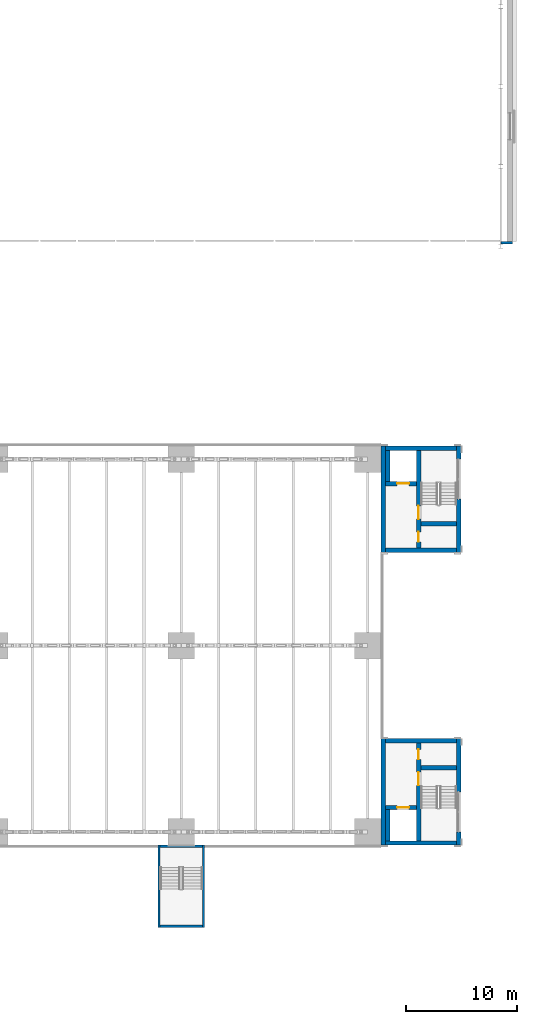
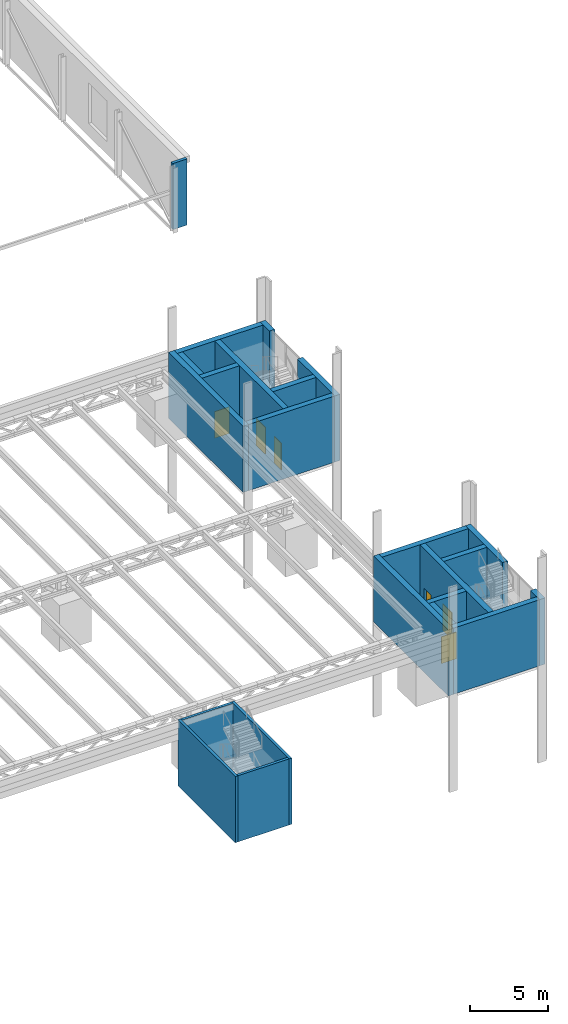
# One storey, part 58 of 93: 23 walls, 6 doors, 6 openings.
"""IFC4 building model written with IfcOpenShell, lengths in metres."""

from ifc_helpers import new_model, si_unit, direction, frame, frame_2d, origin, place, context, subcontext, project, spatial, rectangle, extrude, material, layer, layer_set, type_object, element, fill, save


model = new_model("IFC4")

# Units and contexts
model_context = context("Model", 3, precision=1e-05, world=origin(), true_north=direction((0.0, 1.0)))
body_context = subcontext(model_context, "Body", "Model", "MODEL_VIEW")
ifc_project = project(units=[si_unit("LENGTHUNIT", "METRE"), si_unit("AREAUNIT", "SQUARE_METRE"), si_unit("VOLUMEUNIT", "CUBIC_METRE"), si_unit("PLANEANGLEUNIT", "RADIAN"), si_unit("MASSUNIT", "GRAM", prefix="KILO")], contexts=[model_context])

# Site, building, storey
site_placement = place(None, origin())
site = spatial("IfcSite", under=ifc_project, at=site_placement, CompositionType="ELEMENT")
building_placement = place(site_placement, origin())
building = spatial("IfcBuilding", under=site, at=building_placement, Name="Verrick Yard Athletic Hall", CompositionType="ELEMENT")
storey_placement = place(building_placement, frame((0.0, 0.0, 8.800048828125)))
storey = spatial("IfcBuildingStorey", under=building, at=storey_placement, Name="L02", CompositionType="ELEMENT", Elevation=8.800048828125)

# Wall, openings, doors
ifc_material_1 = material(Name="Concrete 35 MPa", Category="concrete")
ifc_layer_1 = layer(ifc_material_1, 0.39990234375)
ifc_layer_set_1 = layer_set([ifc_layer_1], Name="Core wall CR400")
wall_type_1 = type_object("IfcWallType", Name="Core wall CR400", PredefinedType="SHEAR", material=ifc_layer_set_1)
wall_1_placement = place(storey_placement, frame((162.199951171875, 18.39990234375, 0.0), z_axis=(0.0, 0.0, 1.0), x_axis=(0.0, 1.0, 0.0)))
wall_1 = element("IfcWall", 1, at=wall_1_placement, inside=storey, type_object=wall_type_1, Name="CORE-CB3-WP-L02", PredefinedType="SHEAR", context=body_context, shape_type="SweptSolid", body=[
    extrude(rectangle(XDim=8.800048828125, YDim=0.39990234375, at=frame_2d((4.39990234375, 0.0))), origin(), (0.0, 0.0, 1.0), 5.199951171875),
])
opening_1_placement = place(wall_1_placement, frame((5.0, 0.0, 0.0)))
opening_1 = element("IfcOpeningElement", 2, at=opening_1_placement, cuts=wall_1, Name="Opening SD1", PredefinedType="OPENING", context=body_context, shape_type="SweptSolid", body=[
    extrude(rectangle(XDim=1.199951171875, YDim=2.10009765625, at=frame_2d((0.60009765625, 1.050048828125))), frame((0.0, 0.2099609375, 0.0), z_axis=(0.0, -1.0, 0.0), x_axis=(1.0, 0.0, 0.0)), (0.0, 0.0, 1.0), 0.419921875),
])
opening_2_placement = place(wall_1_placement, frame((7.35009765625, 0.0, 0.0)))
opening_2 = element("IfcOpeningElement", 3, at=opening_2_placement, cuts=wall_1, Name="Opening RD1", PredefinedType="OPENING", context=body_context, shape_type="SweptSolid", body=[
    extrude(rectangle(XDim=0.89990234375, YDim=2.10009765625, at=frame_2d((0.449951171875, 1.050048828125))), frame((0.0, 0.2099609375, 0.0), z_axis=(0.0, -1.0, 0.0), x_axis=(1.0, 0.0, 0.0)), (0.0, 0.0, 1.0), 0.419921875),
])
ifc_material_2 = material(Name="Hollow metal door leaf")
door_type_1 = type_object("IfcDoorType", Name="Core door RD1 900x2100", OperationType="NOTDEFINED", PredefinedType="DOOR", material=ifc_material_2)
door_1_placement = place(opening_2_placement, origin())
door_1 = element("IfcDoor", 4, at=door_1_placement, inside=storey, type_object=door_type_1, Name="CORE-CB3-WP-L02-DRD1-2620", OperationType="SINGLE_SWING_RIGHT", OverallHeight=2.10009765625, OverallWidth=0.89990234375, PredefinedType="DOOR", context=body_context, shape_type="SweptSolid", body=[
    extrude(rectangle(XDim=0.89990234375, YDim=2.10009765625, at=frame_2d((0.449951171875, 1.050048828125))), frame((0.0, 0.02490234375, 0.0), z_axis=(0.0, -1.0, 0.0), x_axis=(1.0, 0.0, 0.0)), (0.0, 0.0, 1.0), 0.050048828125),
])
fill(opening_2, door_1)
door_type_2 = type_object("IfcDoorType", Name="Core door SD1 1200x2100", OperationType="NOTDEFINED", PredefinedType="DOOR", material=ifc_material_2)
door_2_placement = place(opening_1_placement, origin())
door_2 = element("IfcDoor", 5, at=door_2_placement, inside=storey, type_object=door_type_2, Name="CORE-CB3-WP-L02-DSD1-2400", OperationType="SINGLE_SWING_RIGHT", OverallHeight=2.10009765625, OverallWidth=1.199951171875, PredefinedType="DOOR", context=body_context, shape_type="SweptSolid", body=[
    extrude(rectangle(XDim=1.199951171875, YDim=2.10009765625, at=frame_2d((0.60009765625, 1.050048828125))), frame((0.0, 0.02490234375, 0.0), z_axis=(0.0, -1.0, 0.0), x_axis=(1.0, 0.0, 0.0)), (0.0, 0.0, 1.0), 0.050048828125),
])
fill(opening_1, door_2)

# Wall
wall_2_placement = place(storey_placement, frame((162.39990234375, 25.0, 0.0), z_axis=(0.0, 0.0, 1.0), x_axis=(1.0, 0.0, 0.0)))
element("IfcWall", 6, at=wall_2_placement, inside=storey, type_object=wall_type_1, Name="CORE-CB3-WSN-L02", PredefinedType="SHEAR", context=body_context, shape_type="SweptSolid", body=[
    extrude(rectangle(XDim=3.2001953125, YDim=0.39990234375, at=frame_2d((1.60009765625, 0.0))), origin(), (0.0, 0.0, 1.0), 5.199951171875),
])

# Wall, opening, door
wall_3_placement = place(storey_placement, frame((159.199951171875, 21.39990234375, 0.0), z_axis=(0.0, 0.0, 1.0), x_axis=(1.0, 0.0, 0.0)))
wall_3 = element("IfcWall", 7, at=wall_3_placement, inside=storey, type_object=wall_type_1, Name="CORE-CB3-WLN-L02", PredefinedType="SHEAR", context=body_context, shape_type="SweptSolid", body=[
    extrude(rectangle(XDim=2.800048828125, YDim=0.39990234375, at=frame_2d((1.39990234375, 0.0))), origin(), (0.0, 0.0, 1.0), 5.199951171875),
])
opening_3_placement = place(wall_3_placement, frame((1.050048828125, 0.0, 0.0)))
opening_3 = element("IfcOpeningElement", 8, at=opening_3_placement, cuts=wall_3, Name="Opening LD", PredefinedType="OPENING", context=body_context, shape_type="SweptSolid", body=[
    extrude(rectangle(XDim=1.10009765625, YDim=2.10009765625, at=frame_2d((0.550048828125, 1.050048828125))), frame((0.0, 0.2099609375, 0.0), z_axis=(0.0, -1.0, 0.0), x_axis=(1.0, 0.0, 0.0)), (0.0, 0.0, 1.0), 0.419921875),
])
ifc_material_3 = material(Name="Stainless steel landing door", Category="steel")
door_type_3 = type_object("IfcDoorType", Name="Lift landing door LD 1100x2100", OperationType="NOTDEFINED", PredefinedType="DOOR", material=ifc_material_3)
door_3_placement = place(opening_3_placement, origin())
door_3 = element("IfcDoor", 9, at=door_3_placement, inside=storey, type_object=door_type_3, Name="Lift landing door", OperationType="SLIDING_TO_RIGHT", OverallHeight=2.10009765625, OverallWidth=1.10009765625, PredefinedType="DOOR", context=body_context, shape_type="SweptSolid", body=[
    extrude(rectangle(XDim=1.10009765625, YDim=2.10009765625, at=frame_2d((0.550048828125, 1.050048828125))), frame((0.0, 0.02490234375, 0.0), z_axis=(0.0, -1.0, 0.0), x_axis=(1.0, 0.0, 0.0)), (0.0, 0.0, 1.0), 0.050048828125),
])
fill(opening_3, door_3)

# Wall
wall_4_placement = place(storey_placement, frame((159.39990234375, 18.39990234375, 0.0), z_axis=(0.0, 0.0, 1.0), x_axis=(0.0, 1.0, 0.0)))
element("IfcWall", 10, at=wall_4_placement, inside=storey, type_object=wall_type_1, Name="CORE-CB3-WLE-L02", PredefinedType="SHEAR", context=body_context, shape_type="SweptSolid", body=[
    extrude(rectangle(XDim=2.800048828125, YDim=0.39990234375, at=frame_2d((1.39990234375, 0.0))), origin(), (0.0, 0.0, 1.0), 5.199951171875),
])

# Wall, openings, doors
wall_5_placement = place(storey_placement, frame((162.199951171875, 44.800048828125, 0.0), z_axis=(0.0, 0.0, 1.0), x_axis=(0.0, 1.0, 0.0)))
wall_5 = element("IfcWall", 11, at=wall_5_placement, inside=storey, type_object=wall_type_1, Name="CORE-CB4-WP-L02", PredefinedType="SHEAR", context=body_context, shape_type="SweptSolid", body=[
    extrude(rectangle(XDim=8.800048828125, YDim=0.39990234375, at=frame_2d((4.39990234375, 0.0))), origin(), (0.0, 0.0, 1.0), 5.199951171875),
])
opening_4_placement = place(wall_5_placement, frame((2.60009765625, 0.0, 0.0)))
opening_4 = element("IfcOpeningElement", 12, at=opening_4_placement, cuts=wall_5, Name="Opening SD1", PredefinedType="OPENING", context=body_context, shape_type="SweptSolid", body=[
    extrude(rectangle(XDim=1.199951171875, YDim=2.10009765625, at=frame_2d((0.60009765625, 1.050048828125))), frame((0.0, 0.2099609375, 0.0), z_axis=(0.0, -1.0, 0.0), x_axis=(1.0, 0.0, 0.0)), (0.0, 0.0, 1.0), 0.419921875),
])
opening_5_placement = place(wall_5_placement, frame((0.550048828125, 0.0, 0.0)))
opening_5 = element("IfcOpeningElement", 13, at=opening_5_placement, cuts=wall_5, Name="Opening RD1", PredefinedType="OPENING", context=body_context, shape_type="SweptSolid", body=[
    extrude(rectangle(XDim=0.89990234375, YDim=2.10009765625, at=frame_2d((0.449951171875, 1.050048828125))), frame((0.0, 0.2099609375, 0.0), z_axis=(0.0, -1.0, 0.0), x_axis=(1.0, 0.0, 0.0)), (0.0, 0.0, 1.0), 0.419921875),
])
door_4_placement = place(opening_5_placement, origin())
door_4 = element("IfcDoor", 14, at=door_4_placement, inside=storey, type_object=door_type_1, Name="CORE-CB4-WP-L02-DRD1-4580", OperationType="SINGLE_SWING_LEFT", OverallHeight=2.10009765625, OverallWidth=0.89990234375, PredefinedType="DOOR", context=body_context, shape_type="SweptSolid", body=[
    extrude(rectangle(XDim=0.89990234375, YDim=2.10009765625, at=frame_2d((0.449951171875, 1.050048828125))), frame((0.0, 0.02490234375, 0.0), z_axis=(0.0, -1.0, 0.0), x_axis=(1.0, 0.0, 0.0)), (0.0, 0.0, 1.0), 0.050048828125),
])
fill(opening_5, door_4)
door_5_placement = place(opening_4_placement, origin())
door_5 = element("IfcDoor", 15, at=door_5_placement, inside=storey, type_object=door_type_2, Name="CORE-CB4-WP-L02-DSD1-4800", OperationType="SINGLE_SWING_LEFT", OverallHeight=2.10009765625, OverallWidth=1.199951171875, PredefinedType="DOOR", context=body_context, shape_type="SweptSolid", body=[
    extrude(rectangle(XDim=1.199951171875, YDim=2.10009765625, at=frame_2d((0.60009765625, 1.050048828125))), frame((0.0, 0.02490234375, 0.0), z_axis=(0.0, -1.0, 0.0), x_axis=(1.0, 0.0, 0.0)), (0.0, 0.0, 1.0), 0.050048828125),
])
fill(opening_4, door_5)

# Wall
wall_6_placement = place(storey_placement, frame((162.39990234375, 47.0, 0.0), z_axis=(0.0, 0.0, 1.0), x_axis=(1.0, 0.0, 0.0)))
element("IfcWall", 16, at=wall_6_placement, inside=storey, type_object=wall_type_1, Name="CORE-CB4-WSN-L02", PredefinedType="SHEAR", context=body_context, shape_type="SweptSolid", body=[
    extrude(rectangle(XDim=3.2001953125, YDim=0.39990234375, at=frame_2d((1.60009765625, 0.0))), origin(), (0.0, 0.0, 1.0), 5.199951171875),
])

# Wall, opening, door
wall_7_placement = place(storey_placement, frame((159.199951171875, 50.60009765625, 0.0), z_axis=(0.0, 0.0, 1.0), x_axis=(1.0, 0.0, 0.0)))
wall_7 = element("IfcWall", 17, at=wall_7_placement, inside=storey, type_object=wall_type_1, Name="CORE-CB4-WLN-L02", PredefinedType="SHEAR", context=body_context, shape_type="SweptSolid", body=[
    extrude(rectangle(XDim=2.800048828125, YDim=0.39990234375, at=frame_2d((1.39990234375, 0.0))), origin(), (0.0, 0.0, 1.0), 5.199951171875),
])
opening_6_placement = place(wall_7_placement, frame((1.050048828125, 0.0, 0.0)))
opening_6 = element("IfcOpeningElement", 18, at=opening_6_placement, cuts=wall_7, Name="Opening LD", PredefinedType="OPENING", context=body_context, shape_type="SweptSolid", body=[
    extrude(rectangle(XDim=1.10009765625, YDim=2.10009765625, at=frame_2d((0.550048828125, 1.050048828125))), frame((0.0, 0.2099609375, 0.0), z_axis=(0.0, -1.0, 0.0), x_axis=(1.0, 0.0, 0.0)), (0.0, 0.0, 1.0), 0.419921875),
])
door_6_placement = place(opening_6_placement, origin())
door_6 = element("IfcDoor", 19, at=door_6_placement, inside=storey, type_object=door_type_3, Name="Lift landing door", OperationType="SLIDING_TO_LEFT", OverallHeight=2.10009765625, OverallWidth=1.10009765625, PredefinedType="DOOR", context=body_context, shape_type="SweptSolid", body=[
    extrude(rectangle(XDim=1.10009765625, YDim=2.10009765625, at=frame_2d((0.550048828125, 1.050048828125))), frame((0.0, 0.02490234375, 0.0), z_axis=(0.0, -1.0, 0.0), x_axis=(1.0, 0.0, 0.0)), (0.0, 0.0, 1.0), 0.050048828125),
])
fill(opening_6, door_6)

# Walls
wall_8_placement = place(storey_placement, frame((159.39990234375, 50.800048828125, 0.0), z_axis=(0.0, 0.0, 1.0), x_axis=(0.0, 1.0, 0.0)))
element("IfcWall", 20, at=wall_8_placement, inside=storey, type_object=wall_type_1, Name="CORE-CB4-WLE-L02", PredefinedType="SHEAR", context=body_context, shape_type="SweptSolid", body=[
    extrude(rectangle(XDim=2.800048828125, YDim=0.39990234375, at=frame_2d((1.39990234375, 0.0))), origin(), (0.0, 0.0, 1.0), 5.199951171875),
])
ifc_layer_2 = layer(ifc_material_1, 0.39990234375)
ifc_layer_set_2 = layer_set([ifc_layer_2], Name="External core wall CR400")
wall_type_2 = type_object("IfcWallType", Name="External core wall CR400", PredefinedType="SHEAR", material=ifc_layer_set_2)
wall_9_placement = place(storey_placement, frame((165.800048828125, 19.199951171875, 0.0), z_axis=(0.0, 0.0, 1.0), x_axis=(0.0, -1.0, 0.0)))
element("IfcWall", 21, at=wall_9_placement, inside=storey, type_object=wall_type_2, Name="CORE-CB3-WW-L02-0", PredefinedType="SHEAR", context=body_context, shape_type="SweptSolid", body=[
    extrude(rectangle(XDim=1.199951171875, YDim=0.39990234375, at=frame_2d((0.60009765625, 0.0))), origin(), (0.0, 0.0, 1.0), 5.199951171875),
])
wall_10_placement = place(storey_placement, frame((165.800048828125, 27.60009765625, 0.0), z_axis=(0.0, 0.0, 1.0), x_axis=(0.0, -1.0, 0.0)))
element("IfcWall", 22, at=wall_10_placement, inside=storey, type_object=wall_type_2, Name="CORE-CB3-WW-L02-1", PredefinedType="SHEAR", context=body_context, shape_type="SweptSolid", body=[
    extrude(rectangle(XDim=4.800048828125, YDim=0.39990234375, at=frame_2d((2.39990234375, 0.0))), origin(), (0.0, 0.0, 1.0), 5.199951171875),
])
wall_11_placement = place(storey_placement, frame((159.0, 18.0, 0.0), z_axis=(0.0, 0.0, 1.0), x_axis=(0.0, 1.0, 0.0)))
element("IfcWall", 23, at=wall_11_placement, inside=storey, type_object=wall_type_2, Name="CORE-CB3-WE-L02", PredefinedType="SHEAR", context=body_context, shape_type="SweptSolid", body=[
    extrude(rectangle(XDim=9.60009765625, YDim=0.39990234375, at=frame_2d((4.800048828125, 0.0))), origin(), (0.0, 0.0, 1.0), 5.199951171875),
])
for number, where, z_axis, x_axis, name in (
    (24, (159.199951171875, 18.199951171875, 0.0), (0.0, 0.0, 1.0), (1.0, 0.0, 0.0), "CORE-CB3-WS-L02"),
    (25, (159.199951171875, 27.39990234375, 0.0), (0.0, 0.0, 1.0), (1.0, 0.0, 0.0), "CORE-CB3-WN-L02"),
):
    element("IfcWall", number, at=place(storey_placement, frame(where, z_axis=z_axis, x_axis=x_axis)), inside=storey, type_object=wall_type_2, Name=name, PredefinedType="SHEAR", context=body_context, shape_type="SweptSolid", body=[
        extrude(rectangle(XDim=6.400146484375, YDim=0.39990234375, at=frame_2d((3.2001953125, 0.0))), origin(), (0.0, 0.0, 1.0), 5.199951171875),
    ])
wall_12_placement = place(storey_placement, frame((165.800048828125, 49.199951171875, 0.0), z_axis=(0.0, 0.0, 1.0), x_axis=(0.0, -1.0, 0.0)))
element("IfcWall", 26, at=wall_12_placement, inside=storey, type_object=wall_type_2, Name="CORE-CB4-WW-L02-0", PredefinedType="SHEAR", context=body_context, shape_type="SweptSolid", body=[
    extrude(rectangle(XDim=4.800048828125, YDim=0.39990234375, at=frame_2d((2.39990234375, 0.0))), origin(), (0.0, 0.0, 1.0), 5.199951171875),
])
wall_13_placement = place(storey_placement, frame((165.800048828125, 54.0, 0.0), z_axis=(0.0, 0.0, 1.0), x_axis=(0.0, -1.0, 0.0)))
element("IfcWall", 27, at=wall_13_placement, inside=storey, type_object=wall_type_2, Name="CORE-CB4-WW-L02-1", PredefinedType="SHEAR", context=body_context, shape_type="SweptSolid", body=[
    extrude(rectangle(XDim=1.199951171875, YDim=0.39990234375, at=frame_2d((0.60009765625, 0.0))), origin(), (0.0, 0.0, 1.0), 5.199951171875),
])
wall_14_placement = place(storey_placement, frame((159.0, 44.39990234375, 0.0), z_axis=(0.0, 0.0, 1.0), x_axis=(0.0, 1.0, 0.0)))
element("IfcWall", 28, at=wall_14_placement, inside=storey, type_object=wall_type_2, Name="CORE-CB4-WE-L02", PredefinedType="SHEAR", context=body_context, shape_type="SweptSolid", body=[
    extrude(rectangle(XDim=9.60009765625, YDim=0.39990234375, at=frame_2d((4.800048828125, 0.0))), origin(), (0.0, 0.0, 1.0), 5.199951171875),
])
for number, where, z_axis, x_axis, name in (
    (29, (159.199951171875, 53.800048828125, 0.0), (0.0, 0.0, 1.0), (1.0, 0.0, 0.0), "CORE-CB4-WS-L02"),
    (30, (159.199951171875, 44.60009765625, 0.0), (0.0, 0.0, 1.0), (1.0, 0.0, 0.0), "CORE-CB4-WN-L02"),
):
    element("IfcWall", number, at=place(storey_placement, frame(where, z_axis=z_axis, x_axis=x_axis)), inside=storey, type_object=wall_type_2, Name=name, PredefinedType="SHEAR", context=body_context, shape_type="SweptSolid", body=[
        extrude(rectangle(XDim=6.400146484375, YDim=0.39990234375, at=frame_2d((3.2001953125, 0.0))), origin(), (0.0, 0.0, 1.0), 5.199951171875),
    ])
ifc_layer_3 = layer(ifc_material_1, 0.199951171875)
ifc_layer_set_3 = layer_set([ifc_layer_3], Name="External enclosure wall CR200")
wall_type_3 = type_object("IfcWallType", Name="External enclosure wall CR200", PredefinedType="SOLIDWALL", material=ifc_layer_set_3)
for number, where, z_axis, x_axis, name in (
    (31, (138.800048828125, 10.60009765625, 0.0), (0.0, 0.0, 1.0), (0.0, 1.0, 0.0), "CORE-DT-S2-WW-L02"),
    (32, (142.800048828125, 18.0, 0.0), (0.0, 0.0, 1.0), (0.0, -1.0, 0.0), "CORE-DT-S2-WE-L02"),
):
    element("IfcWall", number, at=place(storey_placement, frame(where, z_axis=z_axis, x_axis=x_axis)), inside=storey, type_object=wall_type_3, Name=name, PredefinedType="SOLIDWALL", context=body_context, shape_type="SweptSolid", body=[
        extrude(rectangle(XDim=7.39990234375, YDim=0.199951171875, at=frame_2d((3.699951171875, 0.0))), origin(), (0.0, 0.0, 1.0), 5.199951171875),
    ])
for number, where, z_axis, x_axis, name in (
    (33, (138.89990234375, 10.699951171875, 0.0), (0.0, 0.0, 1.0), (1.0, 0.0, 0.0), "CORE-DT-S2-WS-L02"),
    (34, (138.89990234375, 17.89990234375, 0.0), (0.0, 0.0, 1.0), (1.0, 0.0, 0.0), "CORE-DT-S2-WN-L02"),
):
    element("IfcWall", number, at=place(storey_placement, frame(where, z_axis=z_axis, x_axis=x_axis)), inside=storey, type_object=wall_type_3, Name=name, PredefinedType="SOLIDWALL", context=body_context, shape_type="SweptSolid", body=[
        extrude(rectangle(XDim=3.800048828125, YDim=0.199951171875, at=frame_2d((1.89990234375, 0.0))), origin(), (0.0, 0.0, 1.0), 5.199951171875),
    ])
ifc_material_4 = material(Name="Tyndall-stone-look precast cladding", Category="masonry")
ifc_layer_4 = layer(ifc_material_4, 0.0625, Name="Tyndall-stone-look precast cladding")
ifc_material_5 = material(Name="Mineral wool insulation")
ifc_layer_5 = layer(ifc_material_5, 0.0625, Name="Mineral wool insulation")
ifc_layer_6 = layer(ifc_material_1, 0.25, Name="Concrete 35 MPa")
ifc_layer_set_4 = layer_set([ifc_layer_4, ifc_layer_5, ifc_layer_6], Name="Gable base wall")
wall_type_4 = type_object("IfcWallType", Name="Gable base wall", PredefinedType="SOLIDWALL", material=ifc_layer_set_4)
wall_15_placement = place(storey_placement, frame((169.6298828125, 72.30126953125, 0.0), z_axis=(0.0, 0.0, 1.0), x_axis=(1.0, 0.0, 0.0)))
element("IfcWall", 35, at=wall_15_placement, inside=storey, type_object=wall_type_4, Name="ENVB-HAS-PIER-E-L02", PredefinedType="SOLIDWALL", context=body_context, shape_type="SweptSolid", body=[
    extrude(rectangle(XDim=1.045166015625, YDim=0.234375, at=frame_2d((0.5224609375, 0.0))), origin(), (0.0, 0.0, 1.0), 5.199951171875),
])

save(model, "model.ifc")
